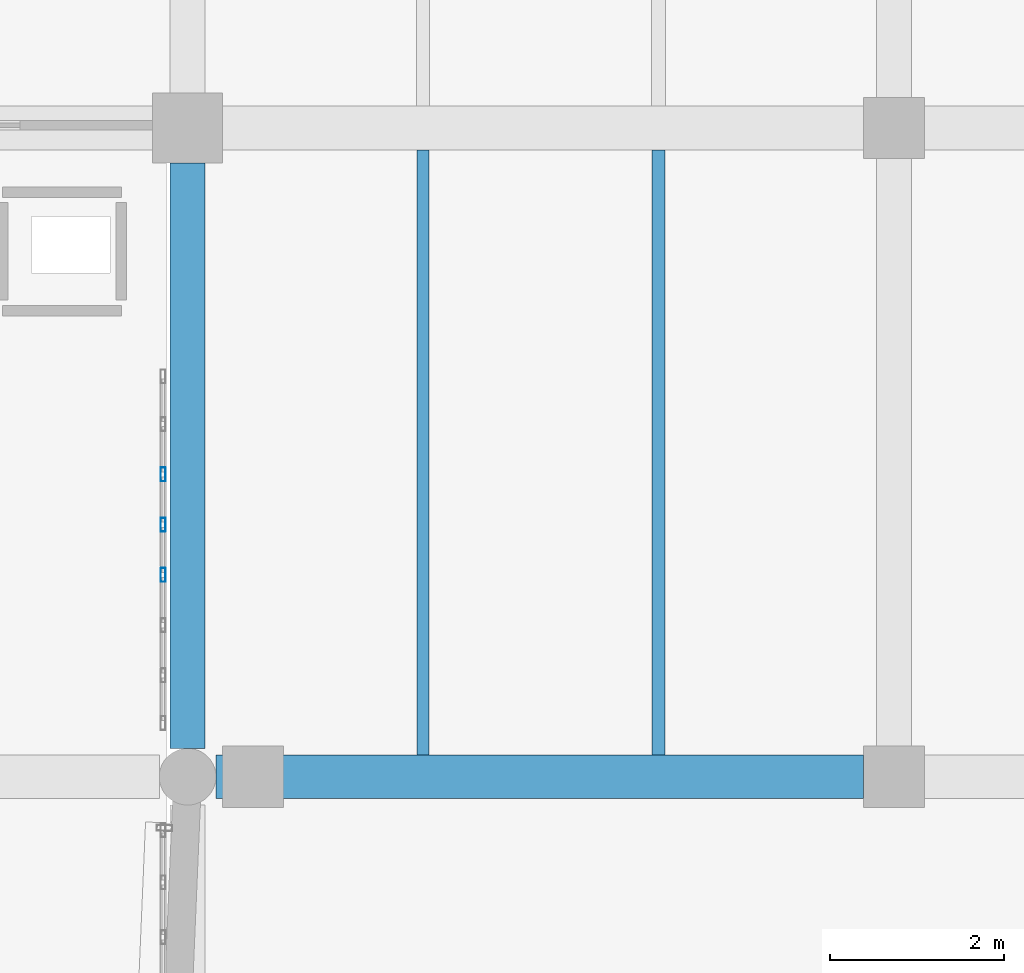
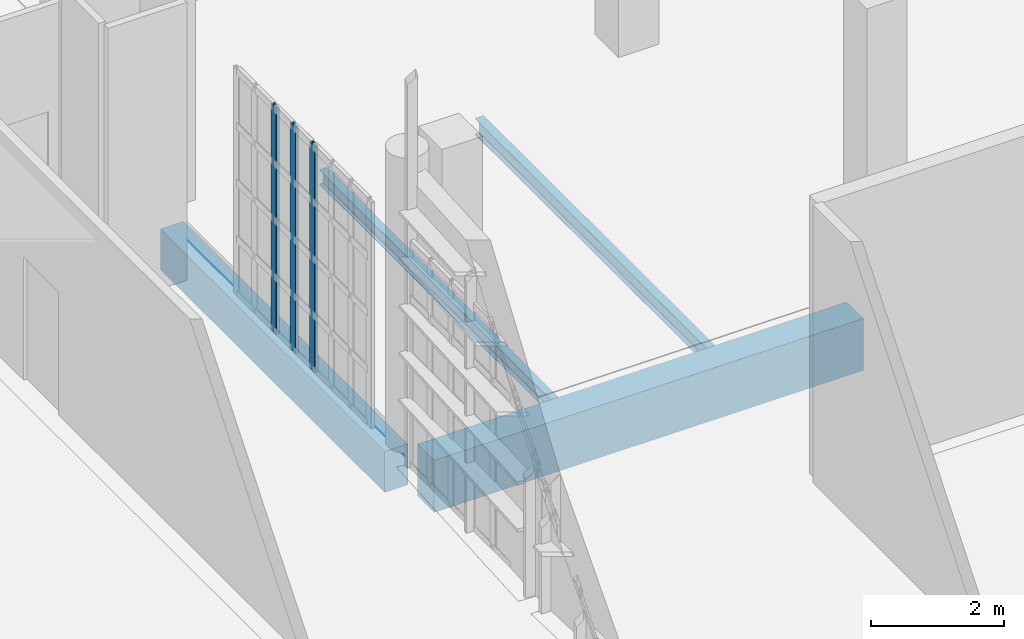
# One storey, part 239 of 372: 4 beams, 3 members, 1 element without a shape of its own.
"""IFC4 building model written with IfcOpenShell, lengths in metres."""

from ifc_helpers import new_model, si_unit, direction, frame, origin, origin_2d, place, context, subcontext, project, spatial, rectangle, hollow_rectangle, i_section, extrude, material, material_profile, profile_set, type_object, element, aggregate, save


model = new_model("IFC4")

# Units and contexts
model_context = context("Model", 3, precision=1e-05, world=origin(), true_north=direction((0.0, 1.0)))
body_context = subcontext(model_context, "Body", "Model", "MODEL_VIEW")
ifc_project = project(units=[si_unit("LENGTHUNIT", "METRE"), si_unit("AREAUNIT", "SQUARE_METRE"), si_unit("VOLUMEUNIT", "CUBIC_METRE"), si_unit("PLANEANGLEUNIT", "RADIAN"), si_unit("MASSUNIT", "GRAM", prefix="KILO")], contexts=[model_context])

# Site, building, storey
site_placement = place(None, origin())
site = spatial("IfcSite", under=ifc_project, at=site_placement, CompositionType="ELEMENT")
building_placement = place(site_placement, origin())
building = spatial("IfcBuilding", under=site, at=building_placement, Name="Kaelora Sail Theatre", CompositionType="ELEMENT")
storey_placement = place(building_placement, origin())
storey = spatial("IfcBuildingStorey", under=building, at=storey_placement, Name="L00", CompositionType="ELEMENT", Elevation=0.0)

# Curtain wall, members
ifc_material_1 = material(Name="Anodised aluminium and solar-control low-E IGU", Category="aluminium")
curtain_wall_type = type_object("IfcCurtainWallType", Name="ARC-CW-CW-FOY2", PredefinedType="NOTDEFINED", material=ifc_material_1)
curtain_wall_placement = place(storey_placement, origin())
curtain_wall = element("IfcCurtainWall", 1, at=curtain_wall_placement, inside=storey, type_object=curtain_wall_type, Name="East Interstitial Foyer East Glazed Return L00-04", PredefinedType="NOTDEFINED")
ifc_material_2 = material(Name="Anodised aluminium 6063-T6", Category="aluminium")
ifc_material_profile_1 = material_profile(ifc_material_2, hollow_rectangle(XDim=0.06005859375, YDim=0.159912109375, WallThickness=0.00390625, InnerFilletRadius=0.00390625, OuterFilletRadius=0.008056640625, at=origin_2d()), Name="ALU-MULL 60x160x4")
ifc_profile_set_1 = profile_set([ifc_material_profile_1], Name="Anodised aluminium 6063-T6")
member_type = type_object("IfcMemberType", Name="ARC-MEM-ML-160", PredefinedType="MULLION", material=ifc_profile_set_1)
member_1_placement = place(storey_placement, frame((122.719970703125, 55.894287109375, 0.0), z_axis=(0.0, 0.0, 1.0), x_axis=(-1.0, 0.0, 0.0)))
member_1 = element("IfcMember", 2, at=member_1_placement, type_object=member_type, Name="CW-FOY2 mullion 4", PredefinedType="MULLION", context=body_context, shape_type="SweptSolid", body=[
    extrude(hollow_rectangle(XDim=0.06005859375, YDim=0.159912109375, WallThickness=0.00390625, InnerFilletRadius=0.00390625, OuterFilletRadius=0.008056640625, at=origin_2d()), origin(), (0.0, 0.0, 1.0), 4.136962890625),
])
member_2_placement = place(storey_placement, frame((122.719970703125, 56.470703125, 0.0), z_axis=(0.0, 0.0, 1.0), x_axis=(-1.0, 0.0, 0.0)))
member_2 = element("IfcMember", 3, at=member_2_placement, type_object=member_type, Name="CW-FOY2 mullion 5", PredefinedType="MULLION", context=body_context, shape_type="SweptSolid", body=[
    extrude(hollow_rectangle(XDim=0.06005859375, YDim=0.159912109375, WallThickness=0.00390625, InnerFilletRadius=0.00390625, OuterFilletRadius=0.008056640625, at=origin_2d()), origin(), (0.0, 0.0, 1.0), 4.136962890625),
])
member_3_placement = place(storey_placement, frame((122.719970703125, 57.047119140625, 0.0), z_axis=(0.0, 0.0, 1.0), x_axis=(-1.0, 0.0, 0.0)))
member_3 = element("IfcMember", 4, at=member_3_placement, type_object=member_type, Name="CW-FOY2 mullion 6", PredefinedType="MULLION", context=body_context, shape_type="SweptSolid", body=[
    extrude(hollow_rectangle(XDim=0.06005859375, YDim=0.159912109375, WallThickness=0.00390625, InnerFilletRadius=0.00390625, OuterFilletRadius=0.008056640625, at=origin_2d()), origin(), (0.0, 0.0, 1.0), 4.136962890625),
])
aggregate(curtain_wall, [member_1, member_2, member_3])

# Beams
ifc_material_3 = material(Name="Concrete C40/50", Category="concrete")
ifc_material_profile_2 = material_profile(ifc_material_3, rectangle(XDim=0.39990234375, YDim=0.75, at=origin_2d()), Name="RC-BM 400x750")
ifc_profile_set_2 = profile_set([ifc_material_profile_2], Name="Concrete C40/50")
beam_type_1 = type_object("IfcBeamType", Name="STR-BM-BM-RC4075", PredefinedType="BEAM", material=ifc_profile_set_2)
beam_1_placement = place(storey_placement, frame((123.0, 53.905029296875, -0.695068359375), z_axis=(0.0, 1.0, 0.0), x_axis=(-1.0, 0.0, 0.0)))
element("IfcBeam", 5, at=beam_1_placement, inside=storey, type_object=beam_type_1, Name="Primary beam 16 H-I (L00)", PredefinedType="BEAM", context=body_context, shape_type="SweptSolid", body=[
    extrude(rectangle(XDim=0.39990234375, YDim=0.75, at=origin_2d()), origin(), (0.0, 0.0, 1.0), 6.715087890625),
])
ifc_material_4 = material(Name="Concrete C45/55", Category="concrete")
ifc_material_profile_3 = material_profile(ifc_material_4, rectangle(XDim=0.5, YDim=0.949951171875, at=origin_2d()), Name="RC-GRD 500x950")
ifc_profile_set_3 = profile_set([ifc_material_profile_3], Name="Concrete C45/55")
beam_type_2 = type_object("IfcBeamType", Name="STR-BM-GR-RC5095", PredefinedType="T_BEAM", material=ifc_profile_set_3)
beam_2_placement = place(storey_placement, frame((123.324951171875, 53.580078125, -0.794921875), z_axis=(1.0, 0.0, 0.0), x_axis=(0.0, 1.0, 0.0)))
element("IfcBeam", 6, at=beam_2_placement, inside=storey, type_object=beam_type_2, Name="Primary beam H 16-17 (L00)", PredefinedType="T_BEAM", context=body_context, shape_type="SweptSolid", body=[
    extrude(rectangle(XDim=0.5, YDim=0.949951171875, at=origin_2d()), origin(), (0.0, 0.0, 1.0), 7.425048828125),
])
ifc_material_5 = material(Name="Steel S355", Category="steel")
ifc_material_profile_4 = material_profile(ifc_material_5, i_section(OverallWidth=0.135009765625, OverallDepth=0.27001953125, WebThickness=0.006591796875, FlangeThickness=0.01025390625, FilletRadius=0.014892578125, at=origin_2d()), Name="IPE 270")
ifc_profile_set_4 = profile_set([ifc_material_profile_4], Name="Steel S355")
beam_type_3 = type_object("IfcBeamType", Name="STR-BM-JS-IPE270", PredefinedType="JOIST", material=ifc_profile_set_4)
beam_3_placement = place(storey_placement, frame((125.699951171875, 53.830078125, -0.455078125), z_axis=(0.0, 1.0, 0.0), x_axis=(-1.0, 0.0, 0.0)))
element("IfcBeam", 7, at=beam_3_placement, inside=storey, type_object=beam_type_3, Name="Secondary floor joist 16/H-1 (L00)", PredefinedType="JOIST", context=body_context, shape_type="SweptSolid", body=[
    extrude(i_section(OverallWidth=0.135009765625, OverallDepth=0.27001953125, WebThickness=0.006591796875, FlangeThickness=0.01025390625, FilletRadius=0.014892578125, at=origin_2d()), origin(), (0.0, 0.0, 1.0), 6.93994140625),
])
ifc_material_6 = material(Name="Steel S355", Category="steel")
ifc_material_profile_5 = material_profile(ifc_material_6, i_section(OverallWidth=0.14990234375, OverallDepth=0.300048828125, WebThickness=0.007080078125, FlangeThickness=0.0107421875, FilletRadius=0.014892578125, at=origin_2d()), Name="IPE 300")
ifc_profile_set_5 = profile_set([ifc_material_profile_5], Name="Steel S355")
beam_type_4 = type_object("IfcBeamType", Name="STR-BM-JS-IPE300", PredefinedType="JOIST", material=ifc_profile_set_5)
beam_4_placement = place(storey_placement, frame((128.39990234375, 53.830078125, -0.469970703125), z_axis=(0.0, 1.0, 0.0), x_axis=(-1.0, 0.0, 0.0)))
element("IfcBeam", 8, at=beam_4_placement, inside=storey, type_object=beam_type_4, Name="Secondary floor joist 16/H-2 (L00)", PredefinedType="JOIST", context=body_context, shape_type="SweptSolid", body=[
    extrude(i_section(OverallWidth=0.14990234375, OverallDepth=0.300048828125, WebThickness=0.007080078125, FlangeThickness=0.0107421875, FilletRadius=0.014892578125, at=origin_2d()), origin(), (0.0, 0.0, 1.0), 6.93994140625),
])

save(model, "model.ifc")
